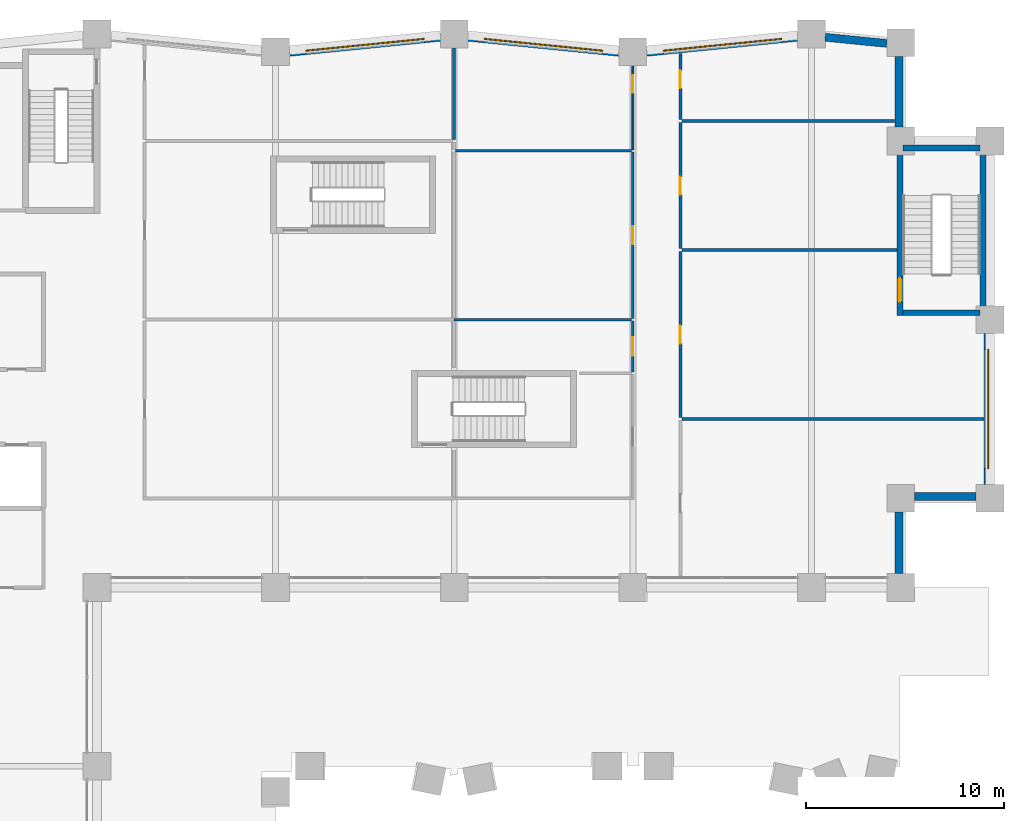
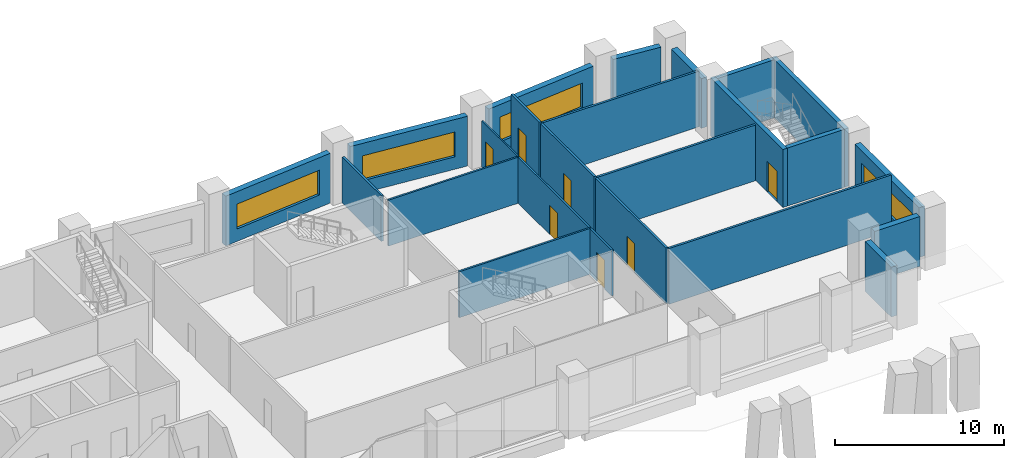
# One storey, part 13 of 18: 24 walls, 7 doors, 4 windows, 11 openings.
"""IFC4 building model written with IfcOpenShell, lengths in metres."""

import ifcopenshell
import ifcopenshell.guid

model = None  # the IFC model being written
_history = None  # IfcOwnerHistory: only IFC2X3 demands one
_inside = {}  # id of a spatial element -> (the spatial element, [elements in it])
_under = {}  # id of a project, library or spatial element -> (it, [spatial elements below it])
_declared = {}  # id of a project -> (the project, [libraries it declares])
_typed = {}  # id of a type object -> (the type object, [elements of that type])
_made_of = {}  # id of a material, layer set ... -> (it, [elements and type objects made of it])


def new_model(schema):
    """Start an empty IFC model of exactly this schema.

    Asked for "IFC4X3", IfcOpenShell would pick the latest addendum, in which some entities
    have other attributes; the version numbers below select the first issue.
    IFC2X3 requires an IfcOwnerHistory on every rooted entity: one is made here for all.
    """
    global model, _history
    if schema == "IFC4X3":
        model = ifcopenshell.file(schema_version=(4, 3, 0, 0))
    else:
        model = ifcopenshell.file(schema=schema)
    _inside.clear()
    _under.clear()
    _declared.clear()
    _typed.clear()
    _made_of.clear()
    _history = None
    if model.schema == "IFC2X3":
        org = make("IfcOrganization", Name="unknown")
        user = make(
            "IfcPersonAndOrganization",
            ThePerson=make("IfcPerson", FamilyName="unknown"),
            TheOrganization=org,
        )
        app = make(
            "IfcApplication",
            ApplicationDeveloper=org,
            Version="unknown",
            ApplicationFullName="unknown",
            ApplicationIdentifier="unknown",
        )
        _history = make(
            "IfcOwnerHistory",
            OwningUser=user,
            OwningApplication=app,
            ChangeAction="ADDED",
            CreationDate=0,
        )
    return model


def make(cls, **values):
    """One entity of the class cls with the attributes given. An attribute that is None is left unset."""
    return model.create_entity(
        cls, **{name: value for name, value in values.items() if value is not None}
    )


def rooted(cls, **values):
    """An entity with a GlobalId (a new one), such as an element, a storey or a relation."""
    return make(cls, GlobalId=ifcopenshell.guid.new(), OwnerHistory=_history, **values)


def si_unit(unit_type, name, prefix=None):
    """IfcSIUnit, for example si_unit("LENGTHUNIT", "METRE", prefix="MILLI")."""
    return make("IfcSIUnit", UnitType=unit_type, Prefix=prefix, Name=name)


def assignment(units):
    """IfcUnitAssignment: the units of a project."""
    return None if units is None else make("IfcUnitAssignment", Units=units)


def point(xyz):
    """IfcCartesianPoint."""
    return None if xyz is None else make("IfcCartesianPoint", Coordinates=xyz)


def direction(xyz):
    """IfcDirection."""
    return None if xyz is None else make("IfcDirection", DirectionRatios=xyz)


def frame(location, z_axis=None, x_axis=None):
    """IfcAxis2Placement3D, a coordinate frame: its origin and axes. An axis left out is left unset."""
    return make(
        "IfcAxis2Placement3D",
        Location=point(location),
        Axis=direction(z_axis),
        RefDirection=direction(x_axis),
    )


def frame_2d(location, x_axis=None):
    """IfcAxis2Placement2D, a coordinate frame in the plane: its origin and x axis."""
    return make(
        "IfcAxis2Placement2D", Location=point(location), RefDirection=direction(x_axis)
    )


def origin():
    """The frame at (0, 0, 0) with its axes left unset."""
    return frame((0.0, 0.0, 0.0))


def place(relative_to, where):
    """IfcLocalPlacement: puts the frame where relative to a parent placement (None: the world)."""
    return make(
        "IfcLocalPlacement", PlacementRelTo=relative_to, RelativePlacement=where
    )


def context(
    kind, dimensions, precision=None, world=None, true_north=None, identifier=None
):
    """IfcGeometricRepresentationContext, for example the 3D "Model" context."""
    return make(
        "IfcGeometricRepresentationContext",
        ContextIdentifier=identifier,
        ContextType=kind,
        CoordinateSpaceDimension=dimensions,
        Precision=precision,
        WorldCoordinateSystem=world,
        TrueNorth=true_north,
    )


def subcontext(parent, identifier, kind, view, scale=None):
    """IfcGeometricRepresentationSubContext, for example "Body" below "Model"."""
    return make(
        "IfcGeometricRepresentationSubContext",
        ContextIdentifier=identifier,
        ContextType=kind,
        ParentContext=parent,
        TargetScale=scale,
        TargetView=view,
    )


def project(units=None, contexts=None):
    """IfcProject with its units and contexts."""
    return rooted(
        "IfcProject",
        Name="project",
        RepresentationContexts=contexts,
        UnitsInContext=assignment(units),
    )


def spatial(cls, under=None, at=None, **own):
    """A site, building, storey or space (cls), placed at a placement, below another one or the project."""
    s = rooted(cls, ObjectPlacement=at, **own)
    if under is not None:
        _under.setdefault(under.id(), (under, []))[1].append(s)
    return s


def profile(cls, at=None, kind="AREA", **sizes):
    """A parametric profile (cls). Its sizes go by their IFC names, for example OverallWidth=200.0."""
    return make(cls, ProfileType=kind, Position=at, **sizes)


def rectangle(**sizes):
    """IfcRectangleProfileDef."""
    return profile("IfcRectangleProfileDef", **sizes)


def extrude(swept, where, along, depth):
    """IfcExtrudedAreaSolid: the profile swept, set in the frame where, extruded along a direction by depth."""
    return make(
        "IfcExtrudedAreaSolid",
        SweptArea=swept,
        Position=where,
        ExtrudedDirection=direction(along),
        Depth=depth,
    )


def shape(context_of_items, identifier, shape_type, items):
    """IfcShapeRepresentation: the items that make up one representation, for example the "Body"."""
    return make(
        "IfcShapeRepresentation",
        ContextOfItems=context_of_items,
        RepresentationIdentifier=identifier,
        RepresentationType=shape_type,
        Items=items,
    )


def material(Name=None, Category=None):
    """IfcMaterial."""
    return make("IfcMaterial", Name=Name, Category=Category)


def layer(
    of_material, thickness, ventilated=None, Name=None, Category=None, Priority=None
):
    """IfcMaterialLayer: one layer of a wall or slab, of a material (None: an air gap)."""
    return make(
        "IfcMaterialLayer",
        Material=of_material,
        LayerThickness=thickness,
        IsVentilated=ventilated,
        Name=Name,
        Category=Category,
        Priority=Priority,
    )


def layer_set(layers, Name=None):
    """IfcMaterialLayerSet."""
    return make("IfcMaterialLayerSet", MaterialLayers=layers, LayerSetName=Name)


def made_of(thing, what):
    """Note that an element or type object is made of a material, layer set ...; save() writes the relation."""
    if what is not None:
        _made_of.setdefault(what.id(), (what, []))[1].append(thing)
    return thing


def type_object(cls, material=None, **own):
    """A type object (cls), such as IfcWallType, which elements share."""
    return made_of(rooted(cls, **own), material)


def element(
    cls,
    number,
    at=None,
    inside=None,
    cuts=None,
    type_object=None,
    material=None,
    context=None,
    identifier="Body",
    shape_type=None,
    held_by="IfcProductDefinitionShape",
    body=None,
    shapes=None,
    **own,
):
    """One element of the class cls, such as IfcWall. Its Tag is "e" and its number.

    at: its placement. inside: the storey or other place that contains it. cuts: it is an
    opening in that element (IfcRelVoidsElement). A single representation is given by context,
    identifier, shape_type and body (its items); several are given by shapes. held_by: the class
    of the entity that holds the representations. save() writes the other relations.
    """
    e = rooted(cls, Tag="e%d" % number, ObjectPlacement=at, **own)
    if body is not None:
        shapes = [shape(context, identifier, shape_type, body)]
    if shapes is not None:
        e.Representation = make(held_by, Representations=shapes)
    if inside is not None:
        _inside.setdefault(inside.id(), (inside, []))[1].append(e)
    if cuts is not None:
        rooted(
            "IfcRelVoidsElement", RelatingBuildingElement=cuts, RelatedOpeningElement=e
        )
    if type_object is not None:
        _typed.setdefault(type_object.id(), (type_object, []))[1].append(e)
    return made_of(e, material)


def fill(opening, filler):
    """IfcRelFillsElement: the door or window that sits in an opening."""
    return rooted(
        "IfcRelFillsElement",
        RelatingOpeningElement=opening,
        RelatedBuildingElement=filler,
    )


def aggregate(whole, parts):
    """IfcRelAggregates: a whole, such as a stair, and the parts it consists of."""
    return rooted("IfcRelAggregates", RelatingObject=whole, RelatedObjects=parts)


def save(model, path):
    """Write the relations noted so far, then the file.

    IfcRelAggregates (storeys below a building ...), IfcRelContainedInSpatialStructure (elements
    in a storey), IfcRelDefinesByType, IfcRelAssociatesMaterial and IfcRelDeclares: one each for
    every whole, place, type object, material and project.
    """
    for whole, parts in _under.values():
        aggregate(whole, parts)
    for where, things in _inside.values():
        rooted(
            "IfcRelContainedInSpatialStructure",
            RelatedElements=things,
            RelatingStructure=where,
        )
    for kind, things in _typed.values():
        rooted("IfcRelDefinesByType", RelatedObjects=things, RelatingType=kind)
    for what, things in _made_of.values():
        rooted("IfcRelAssociatesMaterial", RelatedObjects=things, RelatingMaterial=what)
    for by, libraries in _declared.values():
        rooted("IfcRelDeclares", RelatingContext=by, RelatedDefinitions=libraries)
    model.write(path)


model = new_model("IFC4")

# Units and contexts
model_context = context("Model", 3, precision=1e-05, world=origin(), true_north=direction((0.0, 1.0)))
body_context = subcontext(model_context, "Body", "Model", "MODEL_VIEW")
ifc_project = project(units=[si_unit("LENGTHUNIT", "METRE"), si_unit("AREAUNIT", "SQUARE_METRE"), si_unit("VOLUMEUNIT", "CUBIC_METRE"), si_unit("PLANEANGLEUNIT", "RADIAN"), si_unit("MASSUNIT", "GRAM", prefix="KILO")], contexts=[model_context])

# Site, building, storey
site_placement = place(None, origin())
site = spatial("IfcSite", under=ifc_project, at=site_placement, CompositionType="ELEMENT")
building_placement = place(site_placement, origin())
building = spatial("IfcBuilding", under=site, at=building_placement, Name="Brondeck Convention Tower", CompositionType="ELEMENT")
storey_placement = place(building_placement, frame((0.0, 0.0, 27.5)))
storey = spatial("IfcBuildingStorey", under=building, at=storey_placement, Name="L04", CompositionType="ELEMENT", Elevation=27.5)

# Walls
ifc_material_1 = material(Name="Limestone", Category="masonry")
ifc_layer_1 = layer(ifc_material_1, 0.10009765625, Name="Limestone facing")
ifc_material_2 = material(Name="Mineral wool")
ifc_layer_2 = layer(ifc_material_2, 0.159912109375, Name="Insulation")
ifc_material_3 = material(Name="Concrete C35/45", Category="concrete")
ifc_layer_3 = layer(ifc_material_3, 0.139892578125, Name="Backing")
ifc_layer_set_1 = layer_set([ifc_layer_1, ifc_layer_2, ifc_layer_3], Name="External wall, limestone cladding")
wall_type_1 = type_object("IfcWallType", Name="External wall, limestone cladding", PredefinedType="SOLIDWALL", material=ifc_layer_set_1)
for number, where, z_axis, x_axis, name in (
    (1, (67.39990234375, 39.800048828125, 0.0), (0.0, 0.0, 1.0), (0.0, -1.0, 0.0), "ENV-EW-L04-BASE-NC-SEA-01"),
    (2, (71.300048828125, 40.60009765625, 0.0), (0.0, 0.0, 1.0), (-1.0, 0.0, 0.0), "ENV-EW-L04-BASE-NC-SEA-02"),
):
    element("IfcWall", number, at=place(storey_placement, frame(where, z_axis=z_axis, x_axis=x_axis)), inside=storey, type_object=wall_type_1, Name=name, PredefinedType="SOLIDWALL", context=body_context, shape_type="SweptSolid", body=[
        extrude(rectangle(XDim=3.10009765625, YDim=0.39990234375, at=frame_2d((1.550048828125, 0.0))), origin(), (0.0, 0.0, 1.0), 3.60009765625),
    ])

# Wall, opening, window
wall_1_placement = place(storey_placement, frame((71.89990234375, 48.800048828125, 0.0), z_axis=(0.0, 0.0, 1.0), x_axis=(0.0, -1.0, 0.0)))
wall_1 = element("IfcWall", 3, at=wall_1_placement, inside=storey, type_object=wall_type_1, Name="ENV-EW-L04-BASE-A-E-02", PredefinedType="SOLIDWALL", context=body_context, shape_type="SweptSolid", body=[
    extrude(rectangle(XDim=7.60009765625, YDim=0.39990234375, at=frame_2d((3.800048828125, 0.0))), origin(), (0.0, 0.0, 1.0), 3.60009765625),
])
opening_1_placement = place(wall_1_placement, frame((0.800048828125, 0.0, 0.89990234375)))
opening_1 = element("IfcOpeningElement", 4, at=opening_1_placement, cuts=wall_1, Name="Opening W4", PredefinedType="OPENING", context=body_context, shape_type="SweptSolid", body=[
    extrude(rectangle(XDim=6.0, YDim=1.800048828125, at=frame_2d((3.0, 0.89990234375))), frame((0.0, 0.2099609375, 0.0), z_axis=(0.0, -1.0, 0.0), x_axis=(1.0, 0.0, 0.0)), (0.0, 0.0, 1.0), 0.419921875),
])
ifc_material_4 = material(Name="Bronze tinted double glazing", Category="glass")
window_type = type_object("IfcWindowType", Name="Podium ribbon window, bronze tinted", PartitioningType="SINGLE_PANEL", PredefinedType="WINDOW", material=ifc_material_4)
window_1_placement = place(opening_1_placement, origin())
window_1 = element("IfcWindow", 5, at=window_1_placement, inside=storey, type_object=window_type, Name="ENV-WN-L04-BASE-A-E-02", OverallHeight=1.800048828125, OverallWidth=6.0, PartitioningType="SINGLE_PANEL", PredefinedType="WINDOW", context=body_context, shape_type="SweptSolid", body=[
    extrude(rectangle(XDim=6.0, YDim=1.800048828125, at=frame_2d((3.0, 0.89990234375))), frame((0.0, 0.030029296875, 0.0), z_axis=(0.0, -1.0, 0.0), x_axis=(1.0, 0.0, 0.0)), (0.0, 0.0, 1.0), 0.06005859375),
])
fill(opening_1, window_1)

# Walls
wall_2_placement = place(storey_placement, frame((67.39990234375, 62.75, 0.0), z_axis=(0.0, 0.0, 1.0), x_axis=(0.0, -1.0, 0.0)))
element("IfcWall", 6, at=wall_2_placement, inside=storey, type_object=wall_type_1, Name="ENV-EW-L04-BASE-NC-NEA-02", PredefinedType="SOLIDWALL", context=body_context, shape_type="SweptSolid", body=[
    extrude(rectangle(XDim=3.550048828125, YDim=0.39990234375, at=frame_2d((1.77490234375, 0.0))), origin(), (0.0, 0.0, 1.0), 3.60009765625),
])
wall_3_placement = place(storey_placement, frame((63.6865234375, 63.730712890625, 0.0), z_axis=(0.0, 0.0, 1.0), x_axis=(0.995041834057, -0.099457269599, 0.0)))
element("IfcWall", 7, at=wall_3_placement, inside=storey, type_object=wall_type_1, Name="ENV-EW-L04-BASE-A-N-14", PredefinedType="SOLIDWALL", context=body_context, shape_type="SweptSolid", body=[
    extrude(rectangle(XDim=3.122314453125, YDim=0.39990234375, at=frame_2d((1.56103515625, 0.0))), origin(), (0.0, 0.0, 1.0), 3.60009765625),
])

# Wall, opening, window
wall_4_placement = place(storey_placement, frame((54.70654296875, 62.97021484375, 0.0), z_axis=(0.0, 0.0, 1.0), x_axis=(0.995039719416, 0.099478423711, 0.0)))
wall_4 = element("IfcWall", 8, at=wall_4_placement, inside=storey, type_object=wall_type_1, Name="ENV-EW-L04-BASE-A-N-13", PredefinedType="SOLIDWALL", context=body_context, shape_type="SweptSolid", body=[
    extrude(rectangle(XDim=7.644775390625, YDim=0.39990234375, at=frame_2d((3.822265625, 0.0))), origin(), (0.0, 0.0, 1.0), 3.60009765625),
])
opening_2_placement = place(wall_4_placement, frame((0.822509765625, 0.0, 0.89990234375)))
opening_2 = element("IfcOpeningElement", 9, at=opening_2_placement, cuts=wall_4, Name="Opening W4", PredefinedType="OPENING", context=body_context, shape_type="SweptSolid", body=[
    extrude(rectangle(XDim=6.0, YDim=1.800048828125, at=frame_2d((3.0, 0.89990234375))), frame((0.0, 0.2099609375, 0.0), z_axis=(0.0, -1.0, 0.0), x_axis=(1.0, 0.0, 0.0)), (0.0, 0.0, 1.0), 0.419921875),
])
window_2_placement = place(opening_2_placement, origin())
window_2 = element("IfcWindow", 10, at=window_2_placement, inside=storey, type_object=window_type, Name="ENV-WN-L04-BASE-A-N-13", OverallHeight=1.800048828125, OverallWidth=6.0, PartitioningType="SINGLE_PANEL", PredefinedType="WINDOW", context=body_context, shape_type="SweptSolid", body=[
    extrude(rectangle(XDim=6.0, YDim=1.800048828125, at=frame_2d((3.0, 0.89990234375))), frame((0.0, 0.030029296875, 0.0), z_axis=(0.0, -1.0, 0.0), x_axis=(1.0, 0.0, 0.0)), (0.0, 0.0, 1.0), 0.06005859375),
])
fill(opening_2, window_2)

wall_5_placement = place(storey_placement, frame((45.6865234375, 63.730712890625, 0.0), z_axis=(0.0, 0.0, 1.0), x_axis=(0.995039719416, -0.099478423711, 0.0)))
wall_5 = element("IfcWall", 11, at=wall_5_placement, inside=storey, type_object=wall_type_1, Name="ENV-EW-L04-BASE-A-N-11", PredefinedType="SOLIDWALL", context=body_context, shape_type="SweptSolid", body=[
    extrude(rectangle(XDim=7.644775390625, YDim=0.39990234375, at=frame_2d((3.822265625, 0.0))), origin(), (0.0, 0.0, 1.0), 3.60009765625),
])
opening_3_placement = place(wall_5_placement, frame((0.822509765625, 0.0, 0.89990234375)))
opening_3 = element("IfcOpeningElement", 12, at=opening_3_placement, cuts=wall_5, Name="Opening W4", PredefinedType="OPENING", context=body_context, shape_type="SweptSolid", body=[
    extrude(rectangle(XDim=6.0, YDim=1.800048828125, at=frame_2d((3.0, 0.89990234375))), frame((0.0, 0.2099609375, 0.0), z_axis=(0.0, -1.0, 0.0), x_axis=(1.0, 0.0, 0.0)), (0.0, 0.0, 1.0), 0.419921875),
])
window_3_placement = place(opening_3_placement, origin())
window_3 = element("IfcWindow", 13, at=window_3_placement, inside=storey, type_object=window_type, Name="ENV-WN-L04-BASE-A-N-11", OverallHeight=1.800048828125, OverallWidth=6.0, PartitioningType="SINGLE_PANEL", PredefinedType="WINDOW", context=body_context, shape_type="SweptSolid", body=[
    extrude(rectangle(XDim=6.0, YDim=1.800048828125, at=frame_2d((3.0, 0.89990234375))), frame((0.0, 0.030029296875, 0.0), z_axis=(0.0, -1.0, 0.0), x_axis=(1.0, 0.0, 0.0)), (0.0, 0.0, 1.0), 0.06005859375),
])
fill(opening_3, window_3)

wall_6_placement = place(storey_placement, frame((36.70654296875, 62.97021484375, 0.0), z_axis=(0.0, 0.0, 1.0), x_axis=(0.995039719416, 0.099478423711, 0.0)))
wall_6 = element("IfcWall", 14, at=wall_6_placement, inside=storey, type_object=wall_type_1, Name="ENV-EW-L04-BASE-A-N-09", PredefinedType="SOLIDWALL", context=body_context, shape_type="SweptSolid", body=[
    extrude(rectangle(XDim=7.644775390625, YDim=0.39990234375, at=frame_2d((3.822265625, 0.0))), origin(), (0.0, 0.0, 1.0), 3.60009765625),
])
opening_4_placement = place(wall_6_placement, frame((0.822509765625, 0.0, 0.89990234375)))
opening_4 = element("IfcOpeningElement", 15, at=opening_4_placement, cuts=wall_6, Name="Opening W4", PredefinedType="OPENING", context=body_context, shape_type="SweptSolid", body=[
    extrude(rectangle(XDim=6.0, YDim=1.800048828125, at=frame_2d((3.0, 0.89990234375))), frame((0.0, 0.2099609375, 0.0), z_axis=(0.0, -1.0, 0.0), x_axis=(1.0, 0.0, 0.0)), (0.0, 0.0, 1.0), 0.419921875),
])
window_4_placement = place(opening_4_placement, origin())
window_4 = element("IfcWindow", 16, at=window_4_placement, inside=storey, type_object=window_type, Name="ENV-WN-L04-BASE-A-N-09", OverallHeight=1.800048828125, OverallWidth=6.0, PartitioningType="SINGLE_PANEL", PredefinedType="WINDOW", context=body_context, shape_type="SweptSolid", body=[
    extrude(rectangle(XDim=6.0, YDim=1.800048828125, at=frame_2d((3.0, 0.89990234375))), frame((0.0, 0.030029296875, 0.0), z_axis=(0.0, -1.0, 0.0), x_axis=(1.0, 0.0, 0.0)), (0.0, 0.0, 1.0), 0.06005859375),
])
fill(opening_4, window_4)

# Wall
ifc_material_5 = material(Name="Double gypsum board acoustic wall")
ifc_layer_4 = layer(ifc_material_5, 0.14990234375)
ifc_layer_set_2 = layer_set([ifc_layer_4], Name="Guest room party wall 150")
wall_type_2 = type_object("IfcWallType", Name="Guest room party wall 150", PredefinedType="PARTITIONING", material=ifc_layer_set_2)
wall_7_placement = place(storey_placement, frame((56.47509765625, 44.5, 0.0), z_axis=(0.0, 0.0, 1.0), x_axis=(1.0, 0.0, 0.0)))
element("IfcWall", 17, at=wall_7_placement, inside=storey, type_object=wall_type_2, Name="FLR-L04-W015", PredefinedType="PARTITIONING", context=body_context, shape_type="SweptSolid", body=[
    extrude(rectangle(XDim=15.204833984375, YDim=0.14990234375, at=frame_2d((7.6025390625, 0.0))), origin(), (0.0, 0.0, 1.0), 4.030029296875),
])

# Wall, opening, door
wall_8_placement = place(storey_placement, frame((56.39990234375, 52.925048828125, 0.0), z_axis=(0.0, 0.0, 1.0), x_axis=(0.0, -1.0, 0.0)))
wall_8 = element("IfcWall", 18, at=wall_8_placement, inside=storey, type_object=wall_type_2, Name="FLR-L04-W023", PredefinedType="PARTITIONING", context=body_context, shape_type="SweptSolid", body=[
    extrude(rectangle(XDim=8.35009765625, YDim=0.14990234375, at=frame_2d((4.175048828125, 0.0))), origin(), (0.0, 0.0, 1.0), 4.030029296875),
])
opening_5_placement = place(wall_8_placement, frame((3.72509765625, 0.0, 0.0)))
opening_5 = element("IfcOpeningElement", 19, at=opening_5_placement, cuts=wall_8, Name="Opening P-L04-009", PredefinedType="OPENING", context=body_context, shape_type="SweptSolid", body=[
    extrude(rectangle(XDim=0.89990234375, YDim=2.10009765625, at=frame_2d((0.449951171875, 1.050048828125))), frame((0.0, 0.0849609375, 0.0), z_axis=(0.0, -1.0, 0.0), x_axis=(1.0, 0.0, 0.0)), (0.0, 0.0, 1.0), 0.169921875),
])
ifc_material_6 = material(Name="Solid timber door leaf", Category="wood")
door_type_1 = type_object("IfcDoorType", Name="Single door 900", OperationType="NOTDEFINED", PredefinedType="DOOR", material=ifc_material_6)
door_1_placement = place(opening_5_placement, origin())
door_1 = element("IfcDoor", 20, at=door_1_placement, inside=storey, type_object=door_type_1, Name="Door P-L04-009", OperationType="SINGLE_SWING_LEFT", OverallHeight=2.10009765625, OverallWidth=0.89990234375, PredefinedType="DOOR", context=body_context, shape_type="SweptSolid", body=[
    extrude(rectangle(XDim=0.89990234375, YDim=2.10009765625, at=frame_2d((0.449951171875, 1.050048828125))), frame((0.0, 0.02490234375, 0.0), z_axis=(0.0, -1.0, 0.0), x_axis=(1.0, 0.0, 0.0)), (0.0, 0.0, 1.0), 0.050048828125),
])
fill(opening_5, door_1)

# Wall
wall_9_placement = place(storey_placement, frame((56.47509765625, 53.0, 0.0), z_axis=(0.0, 0.0, 1.0), x_axis=(1.0, 0.0, 0.0)))
element("IfcWall", 21, at=wall_9_placement, inside=storey, type_object=wall_type_2, Name="FLR-L04-W024", PredefinedType="PARTITIONING", context=body_context, shape_type="SweptSolid", body=[
    extrude(rectangle(XDim=10.824951171875, YDim=0.14990234375, at=frame_2d((5.41259765625, 0.0))), origin(), (0.0, 0.0, 1.0), 4.030029296875),
])

# Wall, opening, door
wall_10_placement = place(storey_placement, frame((56.39990234375, 59.425048828125, 0.0), z_axis=(0.0, 0.0, 1.0), x_axis=(0.0, -1.0, 0.0)))
wall_10 = element("IfcWall", 22, at=wall_10_placement, inside=storey, type_object=wall_type_2, Name="FLR-L04-W031", PredefinedType="PARTITIONING", context=body_context, shape_type="SweptSolid", body=[
    extrude(rectangle(XDim=6.35009765625, YDim=0.14990234375, at=frame_2d((3.175048828125, 0.0))), origin(), (0.0, 0.0, 1.0), 4.030029296875),
])
opening_6_placement = place(wall_10_placement, frame((2.72509765625, 0.0, 0.0)))
opening_6 = element("IfcOpeningElement", 23, at=opening_6_placement, cuts=wall_10, Name="Opening P-L04-010", PredefinedType="OPENING", context=body_context, shape_type="SweptSolid", body=[
    extrude(rectangle(XDim=0.89990234375, YDim=2.10009765625, at=frame_2d((0.449951171875, 1.050048828125))), frame((0.0, 0.0849609375, 0.0), z_axis=(0.0, -1.0, 0.0), x_axis=(1.0, 0.0, 0.0)), (0.0, 0.0, 1.0), 0.169921875),
])
door_2_placement = place(opening_6_placement, origin())
door_2 = element("IfcDoor", 24, at=door_2_placement, inside=storey, type_object=door_type_1, Name="Door P-L04-010", OperationType="SINGLE_SWING_RIGHT", OverallHeight=2.10009765625, OverallWidth=0.89990234375, PredefinedType="DOOR", context=body_context, shape_type="SweptSolid", body=[
    extrude(rectangle(XDim=0.89990234375, YDim=2.10009765625, at=frame_2d((0.449951171875, 1.050048828125))), frame((0.0, 0.02490234375, 0.0), z_axis=(0.0, -1.0, 0.0), x_axis=(1.0, 0.0, 0.0)), (0.0, 0.0, 1.0), 0.050048828125),
])
fill(opening_6, door_2)

# Wall
wall_11_placement = place(storey_placement, frame((56.47509765625, 59.5, 0.0), z_axis=(0.0, 0.0, 1.0), x_axis=(1.0, 0.0, 0.0)))
element("IfcWall", 25, at=wall_11_placement, inside=storey, type_object=wall_type_2, Name="FLR-L04-W032", PredefinedType="PARTITIONING", context=body_context, shape_type="SweptSolid", body=[
    extrude(rectangle(XDim=10.704833984375, YDim=0.14990234375, at=frame_2d((5.3525390625, 0.0))), origin(), (0.0, 0.0, 1.0), 4.030029296875),
])

# Wall, opening, door
wall_12_placement = place(storey_placement, frame((56.39990234375, 62.91845703125, 0.0), z_axis=(0.0, 0.0, 1.0), x_axis=(0.0, -1.0, 0.0)))
wall_12 = element("IfcWall", 26, at=wall_12_placement, inside=storey, type_object=wall_type_2, Name="FLR-L04-W033", PredefinedType="PARTITIONING", context=body_context, shape_type="SweptSolid", body=[
    extrude(rectangle(XDim=3.343505859375, YDim=0.14990234375, at=frame_2d((1.671875, 0.0))), origin(), (0.0, 0.0, 1.0), 4.030029296875),
])
opening_7_placement = place(wall_12_placement, frame((0.853515625, 0.0, 0.0)))
opening_7 = element("IfcOpeningElement", 27, at=opening_7_placement, cuts=wall_12, Name="Opening P-L04-011", PredefinedType="OPENING", context=body_context, shape_type="SweptSolid", body=[
    extrude(rectangle(XDim=0.89990234375, YDim=2.10009765625, at=frame_2d((0.449951171875, 1.050048828125))), frame((0.0, 0.0849609375, 0.0), z_axis=(0.0, -1.0, 0.0), x_axis=(1.0, 0.0, 0.0)), (0.0, 0.0, 1.0), 0.169921875),
])
door_3_placement = place(opening_7_placement, origin())
door_3 = element("IfcDoor", 28, at=door_3_placement, inside=storey, type_object=door_type_1, Name="Door P-L04-011", OperationType="SINGLE_SWING_LEFT", OverallHeight=2.10009765625, OverallWidth=0.89990234375, PredefinedType="DOOR", context=body_context, shape_type="SweptSolid", body=[
    extrude(rectangle(XDim=0.89990234375, YDim=2.10009765625, at=frame_2d((0.449951171875, 1.050048828125))), frame((0.0, 0.02490234375, 0.0), z_axis=(0.0, -1.0, 0.0), x_axis=(1.0, 0.0, 0.0)), (0.0, 0.0, 1.0), 0.050048828125),
])
fill(opening_7, door_3)

# Wall
wall_13_placement = place(storey_placement, frame((45.0, 63.179931640625, 0.0), z_axis=(0.0, 0.0, 1.0), x_axis=(0.0, -1.0, 0.0)))
element("IfcWall", 29, at=wall_13_placement, inside=storey, type_object=wall_type_2, Name="FLR-L04-W035", PredefinedType="PARTITIONING", context=body_context, shape_type="SweptSolid", body=[
    extrude(rectangle(XDim=4.60498046875, YDim=0.14990234375, at=frame_2d((2.302490234375, 0.0))), origin(), (0.0, 0.0, 1.0), 3.330078125),
])

# Wall, opening, door
ifc_material_7 = material(Name="Gypsum board shaft wall on steel studs", Category="steel")
ifc_layer_5 = layer(ifc_material_7, 0.125)
ifc_layer_set_3 = layer_set([ifc_layer_5], Name="Riser wall 125")
wall_type_3 = type_object("IfcWallType", Name="Riser wall 125", PredefinedType="PARTITIONING", material=ifc_layer_set_3)
wall_14_placement = place(storey_placement, frame((54.0, 46.862548828125, 0.0), z_axis=(0.0, 0.0, 1.0), x_axis=(0.0, 1.0, 0.0)))
wall_14 = element("IfcWall", 30, at=wall_14_placement, inside=storey, type_object=wall_type_3, Name="FLR-L04-W017", PredefinedType="PARTITIONING", context=body_context, shape_type="SweptSolid", body=[
    extrude(rectangle(XDim=2.574951171875, YDim=0.125, at=frame_2d((1.28759765625, 0.0))), origin(), (0.0, 0.0, 1.0), 3.330078125),
])
opening_8_placement = place(wall_14_placement, frame((0.8125, 0.0, 0.0)))
opening_8 = element("IfcOpeningElement", 31, at=opening_8_placement, cuts=wall_14, Name="Opening P-L04-005", PredefinedType="OPENING", context=body_context, shape_type="SweptSolid", body=[
    extrude(rectangle(XDim=0.949951171875, YDim=2.10009765625, at=frame_2d((0.47509765625, 1.050048828125))), frame((0.0, 0.072509765625, 0.0), z_axis=(0.0, -1.0, 0.0), x_axis=(1.0, 0.0, 0.0)), (0.0, 0.0, 1.0), 0.14501953125),
])
door_type_2 = type_object("IfcDoorType", Name="Accessible door 950", OperationType="NOTDEFINED", PredefinedType="DOOR", material=ifc_material_6)
door_4_placement = place(opening_8_placement, origin())
door_4 = element("IfcDoor", 32, at=door_4_placement, inside=storey, type_object=door_type_2, Name="Door P-L04-005", OperationType="SINGLE_SWING_RIGHT", OverallHeight=2.10009765625, OverallWidth=0.949951171875, PredefinedType="DOOR", context=body_context, shape_type="SweptSolid", body=[
    extrude(rectangle(XDim=0.949951171875, YDim=2.10009765625, at=frame_2d((0.47509765625, 1.050048828125))), frame((0.0, 0.02490234375, 0.0), z_axis=(0.0, -1.0, 0.0), x_axis=(1.0, 0.0, 0.0)), (0.0, 0.0, 1.0), 0.050048828125),
])
fill(opening_8, door_4)

# Wall
wall_15_placement = place(storey_placement, frame((45.0, 49.5, 0.0), z_axis=(0.0, 0.0, 1.0), x_axis=(1.0, 0.0, 0.0)))
element("IfcWall", 33, at=wall_15_placement, inside=storey, type_object=wall_type_3, Name="FLR-L04-W021", PredefinedType="PARTITIONING", context=body_context, shape_type="SweptSolid", body=[
    extrude(rectangle(XDim=8.9375, YDim=0.125, at=frame_2d((4.46875, 0.0))), origin(), (0.0, 0.0, 1.0), 3.330078125),
])

# Wall, opening, door
wall_16_placement = place(storey_placement, frame((54.0, 49.5625, 0.0), z_axis=(0.0, 0.0, 1.0), x_axis=(0.0, 1.0, 0.0)))
wall_16 = element("IfcWall", 34, at=wall_16_placement, inside=storey, type_object=wall_type_3, Name="FLR-L04-W022", PredefinedType="PARTITIONING", context=body_context, shape_type="SweptSolid", body=[
    extrude(rectangle(XDim=8.375, YDim=0.125, at=frame_2d((4.1875, 0.0))), origin(), (0.0, 0.0, 1.0), 3.330078125),
])
opening_9_placement = place(wall_16_placement, frame((3.737548828125, 0.0, 0.0)))
opening_9 = element("IfcOpeningElement", 35, at=opening_9_placement, cuts=wall_16, Name="Opening P-L04-006", PredefinedType="OPENING", context=body_context, shape_type="SweptSolid", body=[
    extrude(rectangle(XDim=0.89990234375, YDim=2.10009765625, at=frame_2d((0.449951171875, 1.050048828125))), frame((0.0, 0.072509765625, 0.0), z_axis=(0.0, -1.0, 0.0), x_axis=(1.0, 0.0, 0.0)), (0.0, 0.0, 1.0), 0.14501953125),
])
door_5_placement = place(opening_9_placement, origin())
door_5 = element("IfcDoor", 36, at=door_5_placement, inside=storey, type_object=door_type_1, Name="Door P-L04-006", OperationType="SINGLE_SWING_RIGHT", OverallHeight=2.10009765625, OverallWidth=0.89990234375, PredefinedType="DOOR", context=body_context, shape_type="SweptSolid", body=[
    extrude(rectangle(XDim=0.89990234375, YDim=2.10009765625, at=frame_2d((0.449951171875, 1.050048828125))), frame((0.0, 0.02490234375, 0.0), z_axis=(0.0, -1.0, 0.0), x_axis=(1.0, 0.0, 0.0)), (0.0, 0.0, 1.0), 0.050048828125),
])
fill(opening_9, door_5)

# Wall
wall_17_placement = place(storey_placement, frame((45.074951171875, 58.0, 0.0), z_axis=(0.0, 0.0, 1.0), x_axis=(1.0, 0.0, 0.0)))
element("IfcWall", 37, at=wall_17_placement, inside=storey, type_object=wall_type_3, Name="FLR-L04-W026", PredefinedType="PARTITIONING", context=body_context, shape_type="SweptSolid", body=[
    extrude(rectangle(XDim=8.862548828125, YDim=0.125, at=frame_2d((4.43115234375, 0.0))), origin(), (0.0, 0.0, 1.0), 3.330078125),
])

# Wall, opening, door
ifc_material_8 = material(Name="Gypsum board partition on steel studs", Category="steel")
ifc_layer_6 = layer(ifc_material_8, 0.10009765625)
ifc_layer_set_4 = layer_set([ifc_layer_6], Name="Room partition 100")
wall_type_4 = type_object("IfcWallType", Name="Room partition 100", PredefinedType="PARTITIONING", material=ifc_layer_set_4)
wall_18_placement = place(storey_placement, frame((54.0, 58.0625, 0.0), z_axis=(0.0, 0.0, 1.0), x_axis=(0.0, 1.0, 0.0)))
wall_18 = element("IfcWall", 38, at=wall_18_placement, inside=storey, type_object=wall_type_4, Name="FLR-L04-W027", PredefinedType="PARTITIONING", context=body_context, shape_type="SweptSolid", body=[
    extrude(rectangle(XDim=4.217529296875, YDim=0.10009765625, at=frame_2d((2.10888671875, 0.0))), origin(), (0.0, 0.0, 1.0), 3.330078125),
])
opening_10_placement = place(wall_18_placement, frame((2.862548828125, 0.0, 0.0)))
opening_10 = element("IfcOpeningElement", 39, at=opening_10_placement, cuts=wall_18, Name="Opening P-L04-007", PredefinedType="OPENING", context=body_context, shape_type="SweptSolid", body=[
    extrude(rectangle(XDim=0.89990234375, YDim=2.10009765625, at=frame_2d((0.449951171875, 1.050048828125))), frame((0.0, 0.06005859375, 0.0), z_axis=(0.0, -1.0, 0.0), x_axis=(1.0, 0.0, 0.0)), (0.0, 0.0, 1.0), 0.1201171875),
])
door_6_placement = place(opening_10_placement, origin())
door_6 = element("IfcDoor", 40, at=door_6_placement, inside=storey, type_object=door_type_1, Name="Door P-L04-007", OperationType="SINGLE_SWING_RIGHT", OverallHeight=2.10009765625, OverallWidth=0.89990234375, PredefinedType="DOOR", context=body_context, shape_type="SweptSolid", body=[
    extrude(rectangle(XDim=0.89990234375, YDim=2.10009765625, at=frame_2d((0.449951171875, 1.050048828125))), frame((0.0, 0.02490234375, 0.0), z_axis=(0.0, -1.0, 0.0), x_axis=(1.0, 0.0, 0.0)), (0.0, 0.0, 1.0), 0.050048828125),
])
fill(opening_10, door_6)

# Walls
ifc_material_9 = material(Name="Concrete C80/95", Category="concrete")
ifc_layer_7 = layer(ifc_material_9, 0.300048828125)
ifc_layer_set_5 = layer_set([ifc_layer_7], Name="Stair enclosure wall 300 Concrete C80/95")
wall_type_5 = type_object("IfcWallType", Name="Stair enclosure wall 300 Concrete C80/95", PredefinedType="SHEAR", material=ifc_layer_set_5)
for number, where, z_axis, x_axis, name in (
    (41, (67.60009765625, 49.85009765625, 0.0), (0.0, 0.0, 1.0), (1.0, 0.0, 0.0), "L04 core wall"),
    (42, (67.60009765625, 58.14990234375, 0.0), (0.0, 0.0, 1.0), (1.0, 0.0, 0.0), "L04 core wall"),
):
    element("IfcWall", number, at=place(storey_placement, frame(where, z_axis=z_axis, x_axis=x_axis)), inside=storey, type_object=wall_type_5, Name=name, PredefinedType="SHEAR", context=body_context, shape_type="SweptSolid", body=[
        extrude(rectangle(XDim=3.89990234375, YDim=0.300048828125, at=frame_2d((1.949951171875, 0.0))), origin(), (0.0, 0.0, 1.0), 4.199951171875),
    ])

# Wall, opening, door
wall_19_placement = place(storey_placement, frame((67.449951171875, 49.699951171875, 0.0), z_axis=(0.0, 0.0, 1.0), x_axis=(0.0, 1.0, 0.0)))
wall_19 = element("IfcWall", 43, at=wall_19_placement, inside=storey, type_object=wall_type_5, Name="L04 core wall", PredefinedType="SHEAR", context=body_context, shape_type="SweptSolid", body=[
    extrude(rectangle(XDim=8.60009765625, YDim=0.300048828125, at=frame_2d((4.300048828125, 0.0))), origin(), (0.0, 0.0, 1.0), 4.199951171875),
])
opening_11_placement = place(wall_19_placement, frame((0.699951171875, 0.0, 0.0)))
opening_11 = element("IfcOpeningElement", 44, at=opening_11_placement, cuts=wall_19, Name="Opening C06-12", PredefinedType="OPENING", context=body_context, shape_type="SweptSolid", body=[
    extrude(rectangle(XDim=1.199951171875, YDim=2.199951171875, at=frame_2d((0.60009765625, 1.10009765625))), frame((0.0, 0.159912109375, 0.0), z_axis=(0.0, -1.0, 0.0), x_axis=(1.0, 0.0, 0.0)), (0.0, 0.0, 1.0), 0.320068359375),
])
ifc_material_10 = material(Name="Steel fire door", Category="steel")
door_type_3 = type_object("IfcDoorType", Name="Stair door 1200x2200 EI 90", OperationType="NOTDEFINED", PredefinedType="DOOR", material=ifc_material_10)
door_7_placement = place(opening_11_placement, origin())
door_7 = element("IfcDoor", 45, at=door_7_placement, inside=storey, type_object=door_type_3, Name="L04 Stair door PS-1", OperationType="SINGLE_SWING_RIGHT", OverallHeight=2.199951171875, OverallWidth=1.199951171875, PredefinedType="DOOR", context=body_context, shape_type="SweptSolid", body=[
    extrude(rectangle(XDim=1.199951171875, YDim=2.199951171875, at=frame_2d((0.60009765625, 1.10009765625))), frame((0.0, 0.02490234375, 0.0), z_axis=(0.0, -1.0, 0.0), x_axis=(1.0, 0.0, 0.0)), (0.0, 0.0, 1.0), 0.050048828125),
])
fill(opening_11, door_7)

# Wall
wall_20_placement = place(storey_placement, frame((71.64990234375, 49.699951171875, 0.0), z_axis=(0.0, 0.0, 1.0), x_axis=(0.0, 1.0, 0.0)))
element("IfcWall", 46, at=wall_20_placement, inside=storey, type_object=wall_type_5, Name="L04 core wall", PredefinedType="SHEAR", context=body_context, shape_type="SweptSolid", body=[
    extrude(rectangle(XDim=8.60009765625, YDim=0.300048828125, at=frame_2d((4.300048828125, 0.0))), origin(), (0.0, 0.0, 1.0), 4.199951171875),
])

save(model, "model.ifc")
